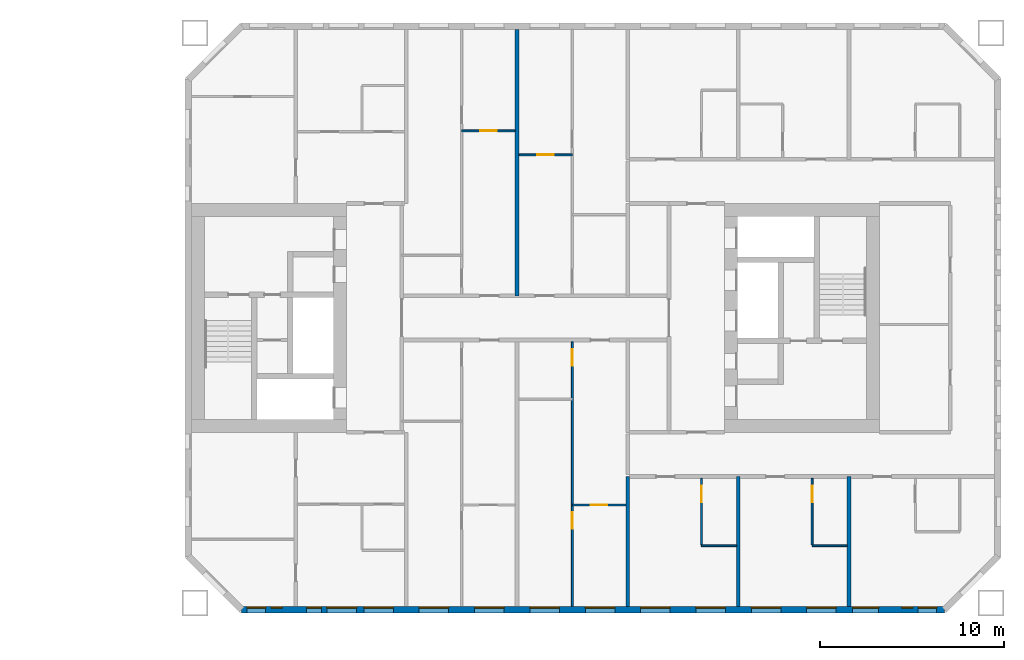
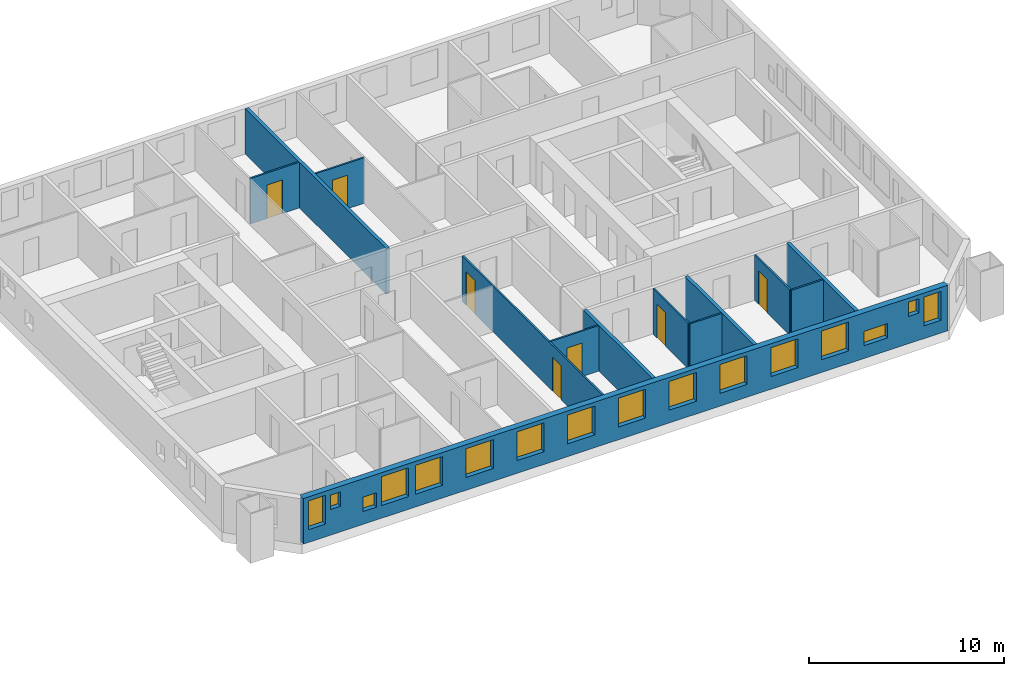
# One storey, part 11 of 17: 16 windows, 13 walls, 7 doors, 23 openings.
"""IFC4 building model written with IfcOpenShell, lengths in metres."""

import ifcopenshell
import ifcopenshell.guid

model = None  # the IFC model being written
_history = None  # IfcOwnerHistory: only IFC2X3 demands one
_inside = {}  # id of a spatial element -> (the spatial element, [elements in it])
_under = {}  # id of a project, library or spatial element -> (it, [spatial elements below it])
_declared = {}  # id of a project -> (the project, [libraries it declares])
_typed = {}  # id of a type object -> (the type object, [elements of that type])
_made_of = {}  # id of a material, layer set ... -> (it, [elements and type objects made of it])


def new_model(schema):
    """Start an empty IFC model of exactly this schema.

    Asked for "IFC4X3", IfcOpenShell would pick the latest addendum, in which some entities
    have other attributes; the version numbers below select the first issue.
    IFC2X3 requires an IfcOwnerHistory on every rooted entity: one is made here for all.
    """
    global model, _history
    if schema == "IFC4X3":
        model = ifcopenshell.file(schema_version=(4, 3, 0, 0))
    else:
        model = ifcopenshell.file(schema=schema)
    _inside.clear()
    _under.clear()
    _declared.clear()
    _typed.clear()
    _made_of.clear()
    _history = None
    if model.schema == "IFC2X3":
        org = make("IfcOrganization", Name="unknown")
        user = make(
            "IfcPersonAndOrganization",
            ThePerson=make("IfcPerson", FamilyName="unknown"),
            TheOrganization=org,
        )
        app = make(
            "IfcApplication",
            ApplicationDeveloper=org,
            Version="unknown",
            ApplicationFullName="unknown",
            ApplicationIdentifier="unknown",
        )
        _history = make(
            "IfcOwnerHistory",
            OwningUser=user,
            OwningApplication=app,
            ChangeAction="ADDED",
            CreationDate=0,
        )
    return model


def make(cls, **values):
    """One entity of the class cls with the attributes given. An attribute that is None is left unset."""
    return model.create_entity(
        cls, **{name: value for name, value in values.items() if value is not None}
    )


def rooted(cls, **values):
    """An entity with a GlobalId (a new one), such as an element, a storey or a relation."""
    return make(cls, GlobalId=ifcopenshell.guid.new(), OwnerHistory=_history, **values)


def si_unit(unit_type, name, prefix=None):
    """IfcSIUnit, for example si_unit("LENGTHUNIT", "METRE", prefix="MILLI")."""
    return make("IfcSIUnit", UnitType=unit_type, Prefix=prefix, Name=name)


def assignment(units):
    """IfcUnitAssignment: the units of a project."""
    return None if units is None else make("IfcUnitAssignment", Units=units)


def point(xyz):
    """IfcCartesianPoint."""
    return None if xyz is None else make("IfcCartesianPoint", Coordinates=xyz)


def direction(xyz):
    """IfcDirection."""
    return None if xyz is None else make("IfcDirection", DirectionRatios=xyz)


def frame(location, z_axis=None, x_axis=None):
    """IfcAxis2Placement3D, a coordinate frame: its origin and axes. An axis left out is left unset."""
    return make(
        "IfcAxis2Placement3D",
        Location=point(location),
        Axis=direction(z_axis),
        RefDirection=direction(x_axis),
    )


def frame_2d(location, x_axis=None):
    """IfcAxis2Placement2D, a coordinate frame in the plane: its origin and x axis."""
    return make(
        "IfcAxis2Placement2D", Location=point(location), RefDirection=direction(x_axis)
    )


def origin():
    """The frame at (0, 0, 0) with its axes left unset."""
    return frame((0.0, 0.0, 0.0))


def place(relative_to, where):
    """IfcLocalPlacement: puts the frame where relative to a parent placement (None: the world)."""
    return make(
        "IfcLocalPlacement", PlacementRelTo=relative_to, RelativePlacement=where
    )


def context(
    kind, dimensions, precision=None, world=None, true_north=None, identifier=None
):
    """IfcGeometricRepresentationContext, for example the 3D "Model" context."""
    return make(
        "IfcGeometricRepresentationContext",
        ContextIdentifier=identifier,
        ContextType=kind,
        CoordinateSpaceDimension=dimensions,
        Precision=precision,
        WorldCoordinateSystem=world,
        TrueNorth=true_north,
    )


def subcontext(parent, identifier, kind, view, scale=None):
    """IfcGeometricRepresentationSubContext, for example "Body" below "Model"."""
    return make(
        "IfcGeometricRepresentationSubContext",
        ContextIdentifier=identifier,
        ContextType=kind,
        ParentContext=parent,
        TargetScale=scale,
        TargetView=view,
    )


def project(units=None, contexts=None):
    """IfcProject with its units and contexts."""
    return rooted(
        "IfcProject",
        Name="project",
        RepresentationContexts=contexts,
        UnitsInContext=assignment(units),
    )


def spatial(cls, under=None, at=None, **own):
    """A site, building, storey or space (cls), placed at a placement, below another one or the project."""
    s = rooted(cls, ObjectPlacement=at, **own)
    if under is not None:
        _under.setdefault(under.id(), (under, []))[1].append(s)
    return s


def profile(cls, at=None, kind="AREA", **sizes):
    """A parametric profile (cls). Its sizes go by their IFC names, for example OverallWidth=200.0."""
    return make(cls, ProfileType=kind, Position=at, **sizes)


def rectangle(**sizes):
    """IfcRectangleProfileDef."""
    return profile("IfcRectangleProfileDef", **sizes)


def extrude(swept, where, along, depth):
    """IfcExtrudedAreaSolid: the profile swept, set in the frame where, extruded along a direction by depth."""
    return make(
        "IfcExtrudedAreaSolid",
        SweptArea=swept,
        Position=where,
        ExtrudedDirection=direction(along),
        Depth=depth,
    )


def shape(context_of_items, identifier, shape_type, items):
    """IfcShapeRepresentation: the items that make up one representation, for example the "Body"."""
    return make(
        "IfcShapeRepresentation",
        ContextOfItems=context_of_items,
        RepresentationIdentifier=identifier,
        RepresentationType=shape_type,
        Items=items,
    )


def material(Name=None, Category=None):
    """IfcMaterial."""
    return make("IfcMaterial", Name=Name, Category=Category)


def layer(
    of_material, thickness, ventilated=None, Name=None, Category=None, Priority=None
):
    """IfcMaterialLayer: one layer of a wall or slab, of a material (None: an air gap)."""
    return make(
        "IfcMaterialLayer",
        Material=of_material,
        LayerThickness=thickness,
        IsVentilated=ventilated,
        Name=Name,
        Category=Category,
        Priority=Priority,
    )


def layer_set(layers, Name=None):
    """IfcMaterialLayerSet."""
    return make("IfcMaterialLayerSet", MaterialLayers=layers, LayerSetName=Name)


def made_of(thing, what):
    """Note that an element or type object is made of a material, layer set ...; save() writes the relation."""
    if what is not None:
        _made_of.setdefault(what.id(), (what, []))[1].append(thing)
    return thing


def type_object(cls, material=None, **own):
    """A type object (cls), such as IfcWallType, which elements share."""
    return made_of(rooted(cls, **own), material)


def element(
    cls,
    number,
    at=None,
    inside=None,
    cuts=None,
    type_object=None,
    material=None,
    context=None,
    identifier="Body",
    shape_type=None,
    held_by="IfcProductDefinitionShape",
    body=None,
    shapes=None,
    **own,
):
    """One element of the class cls, such as IfcWall. Its Tag is "e" and its number.

    at: its placement. inside: the storey or other place that contains it. cuts: it is an
    opening in that element (IfcRelVoidsElement). A single representation is given by context,
    identifier, shape_type and body (its items); several are given by shapes. held_by: the class
    of the entity that holds the representations. save() writes the other relations.
    """
    e = rooted(cls, Tag="e%d" % number, ObjectPlacement=at, **own)
    if body is not None:
        shapes = [shape(context, identifier, shape_type, body)]
    if shapes is not None:
        e.Representation = make(held_by, Representations=shapes)
    if inside is not None:
        _inside.setdefault(inside.id(), (inside, []))[1].append(e)
    if cuts is not None:
        rooted(
            "IfcRelVoidsElement", RelatingBuildingElement=cuts, RelatedOpeningElement=e
        )
    if type_object is not None:
        _typed.setdefault(type_object.id(), (type_object, []))[1].append(e)
    return made_of(e, material)


def fill(opening, filler):
    """IfcRelFillsElement: the door or window that sits in an opening."""
    return rooted(
        "IfcRelFillsElement",
        RelatingOpeningElement=opening,
        RelatedBuildingElement=filler,
    )


def aggregate(whole, parts):
    """IfcRelAggregates: a whole, such as a stair, and the parts it consists of."""
    return rooted("IfcRelAggregates", RelatingObject=whole, RelatedObjects=parts)


def save(model, path):
    """Write the relations noted so far, then the file.

    IfcRelAggregates (storeys below a building ...), IfcRelContainedInSpatialStructure (elements
    in a storey), IfcRelDefinesByType, IfcRelAssociatesMaterial and IfcRelDeclares: one each for
    every whole, place, type object, material and project.
    """
    for whole, parts in _under.values():
        aggregate(whole, parts)
    for where, things in _inside.values():
        rooted(
            "IfcRelContainedInSpatialStructure",
            RelatedElements=things,
            RelatingStructure=where,
        )
    for kind, things in _typed.values():
        rooted("IfcRelDefinesByType", RelatedObjects=things, RelatingType=kind)
    for what, things in _made_of.values():
        rooted("IfcRelAssociatesMaterial", RelatedObjects=things, RelatingMaterial=what)
    for by, libraries in _declared.values():
        rooted("IfcRelDeclares", RelatingContext=by, RelatedDefinitions=libraries)
    model.write(path)


model = new_model("IFC4")

# Units and contexts
model_context = context("Model", 3, precision=1e-05, world=origin(), true_north=direction((0.0, 1.0)))
body_context = subcontext(model_context, "Body", "Model", "MODEL_VIEW")
ifc_project = project(units=[si_unit("LENGTHUNIT", "METRE"), si_unit("AREAUNIT", "SQUARE_METRE"), si_unit("VOLUMEUNIT", "CUBIC_METRE"), si_unit("PLANEANGLEUNIT", "RADIAN"), si_unit("MASSUNIT", "GRAM", prefix="KILO")], contexts=[model_context])

# Site, building, storey
site_placement = place(None, origin())
site = spatial("IfcSite", under=ifc_project, at=site_placement, CompositionType="ELEMENT")
building_placement = place(site_placement, origin())
building = spatial("IfcBuilding", under=site, at=building_placement, Name="Tuart Gate Housing", CompositionType="ELEMENT")
storey_placement = place(building_placement, frame((0.0, 0.0, 71.60009765625)))
storey = spatial("IfcBuildingStorey", under=building, at=storey_placement, Name="L19", CompositionType="ELEMENT", Elevation=71.60009765625)

# Wall, openings, windows
ifc_material_1 = material(Name="Brick", Category="masonry")
ifc_layer_1 = layer(ifc_material_1, 0.360107421875)
ifc_layer_set_1 = layer_set([ifc_layer_1], Name="Brick pier and spandrel wall 360")
wall_type_1 = type_object("IfcWallType", Name="Brick pier and spandrel wall 360", PredefinedType="STANDARD", material=ifc_layer_set_1)
wall_1_placement = place(storey_placement, frame((134.07470703125, 54.179931640625, 0.0), z_axis=(0.0, 0.0, 1.0), x_axis=(1.0, 0.0, 0.0)))
wall_1 = element("IfcWall", 1, at=wall_1_placement, inside=storey, type_object=wall_type_1, Name="External wall B-S L19", PredefinedType="STANDARD", context=body_context, shape_type="SweptSolid", body=[
    extrude(rectangle(XDim=38.100830078125, YDim=0.360107421875, at=frame_2d((19.05029296875, 0.0))), origin(), (0.0, 0.0, 1.0), 2.849853515625),
])
opening_1_placement = place(wall_1_placement, frame((0.300048828125, 0.0, 0.800048828125)))
opening_1 = element("IfcOpeningElement", 2, at=opening_1_placement, cuts=wall_1, Name="Opening W1C", PredefinedType="OPENING", context=body_context, shape_type="SweptSolid", body=[
    extrude(rectangle(XDim=1.0, YDim=1.800048828125, at=frame_2d((0.5, 0.89990234375))), frame((0.0, 0.18994140625, 0.0), z_axis=(0.0, -1.0, 0.0), x_axis=(1.0, 0.0, 0.0)), (0.0, 0.0, 1.0), 0.380126953125),
])
opening_2_placement = place(wall_1_placement, frame((3.525390625, 0.0, 0.800048828125)))
opening_2 = element("IfcOpeningElement", 3, at=opening_2_placement, cuts=wall_1, Name="Opening W1V", PredefinedType="OPENING", context=body_context, shape_type="SweptSolid", body=[
    extrude(rectangle(XDim=0.800048828125, YDim=0.89990234375, at=frame_2d((0.39990234375, 0.449951171875))), frame((0.0, 0.18994140625, 0.0), z_axis=(0.0, -1.0, 0.0), x_axis=(1.0, 0.0, 0.0)), (0.0, 0.0, 1.0), 0.380126953125),
])
opening_3_placement = place(wall_1_placement, frame((6.62548828125, 0.0, 0.800048828125)))
opening_3 = element("IfcOpeningElement", 4, at=opening_3_placement, cuts=wall_1, Name="Opening W1", PredefinedType="OPENING", context=body_context, shape_type="SweptSolid", body=[
    extrude(rectangle(XDim=1.60009765625, YDim=1.800048828125, at=frame_2d((0.800048828125, 0.89990234375))), frame((0.0, 0.18994140625, 0.0), z_axis=(0.0, -1.0, 0.0), x_axis=(1.0, 0.0, 0.0)), (0.0, 0.0, 1.0), 0.380126953125),
])
opening_4_placement = place(wall_1_placement, frame((9.62548828125, 0.0, 0.800048828125)))
opening_4 = element("IfcOpeningElement", 5, at=opening_4_placement, cuts=wall_1, Name="Opening W1", PredefinedType="OPENING", context=body_context, shape_type="SweptSolid", body=[
    extrude(rectangle(XDim=1.60009765625, YDim=1.800048828125, at=frame_2d((0.800048828125, 0.89990234375))), frame((0.0, 0.18994140625, 0.0), z_axis=(0.0, -1.0, 0.0), x_axis=(1.0, 0.0, 0.0)), (0.0, 0.0, 1.0), 0.380126953125),
])
opening_5_placement = place(wall_1_placement, frame((12.62548828125, 0.0, 0.800048828125)))
opening_5 = element("IfcOpeningElement", 6, at=opening_5_placement, cuts=wall_1, Name="Opening W1", PredefinedType="OPENING", context=body_context, shape_type="SweptSolid", body=[
    extrude(rectangle(XDim=1.60009765625, YDim=1.800048828125, at=frame_2d((0.800048828125, 0.89990234375))), frame((0.0, 0.18994140625, 0.0), z_axis=(0.0, -1.0, 0.0), x_axis=(1.0, 0.0, 0.0)), (0.0, 0.0, 1.0), 0.380126953125),
])
opening_6_placement = place(wall_1_placement, frame((15.62548828125, 0.0, 0.800048828125)))
opening_6 = element("IfcOpeningElement", 7, at=opening_6_placement, cuts=wall_1, Name="Opening W1", PredefinedType="OPENING", context=body_context, shape_type="SweptSolid", body=[
    extrude(rectangle(XDim=1.60009765625, YDim=1.800048828125, at=frame_2d((0.800048828125, 0.89990234375))), frame((0.0, 0.18994140625, 0.0), z_axis=(0.0, -1.0, 0.0), x_axis=(1.0, 0.0, 0.0)), (0.0, 0.0, 1.0), 0.380126953125),
])
opening_7_placement = place(wall_1_placement, frame((18.62548828125, 0.0, 0.800048828125)))
opening_7 = element("IfcOpeningElement", 8, at=opening_7_placement, cuts=wall_1, Name="Opening W1", PredefinedType="OPENING", context=body_context, shape_type="SweptSolid", body=[
    extrude(rectangle(XDim=1.60009765625, YDim=1.800048828125, at=frame_2d((0.800048828125, 0.89990234375))), frame((0.0, 0.18994140625, 0.0), z_axis=(0.0, -1.0, 0.0), x_axis=(1.0, 0.0, 0.0)), (0.0, 0.0, 1.0), 0.380126953125),
])
opening_8_placement = place(wall_1_placement, frame((21.62548828125, 0.0, 0.800048828125)))
opening_8 = element("IfcOpeningElement", 9, at=opening_8_placement, cuts=wall_1, Name="Opening W1", PredefinedType="OPENING", context=body_context, shape_type="SweptSolid", body=[
    extrude(rectangle(XDim=1.60009765625, YDim=1.800048828125, at=frame_2d((0.800048828125, 0.89990234375))), frame((0.0, 0.18994140625, 0.0), z_axis=(0.0, -1.0, 0.0), x_axis=(1.0, 0.0, 0.0)), (0.0, 0.0, 1.0), 0.380126953125),
])
opening_9_placement = place(wall_1_placement, frame((24.62548828125, 0.0, 0.800048828125)))
opening_9 = element("IfcOpeningElement", 10, at=opening_9_placement, cuts=wall_1, Name="Opening W1", PredefinedType="OPENING", context=body_context, shape_type="SweptSolid", body=[
    extrude(rectangle(XDim=1.60009765625, YDim=1.800048828125, at=frame_2d((0.800048828125, 0.89990234375))), frame((0.0, 0.18994140625, 0.0), z_axis=(0.0, -1.0, 0.0), x_axis=(1.0, 0.0, 0.0)), (0.0, 0.0, 1.0), 0.380126953125),
])
opening_10_placement = place(wall_1_placement, frame((27.62548828125, 0.0, 0.800048828125)))
opening_10 = element("IfcOpeningElement", 11, at=opening_10_placement, cuts=wall_1, Name="Opening W1", PredefinedType="OPENING", context=body_context, shape_type="SweptSolid", body=[
    extrude(rectangle(XDim=1.60009765625, YDim=1.800048828125, at=frame_2d((0.800048828125, 0.89990234375))), frame((0.0, 0.18994140625, 0.0), z_axis=(0.0, -1.0, 0.0), x_axis=(1.0, 0.0, 0.0)), (0.0, 0.0, 1.0), 0.380126953125),
])
opening_11_placement = place(wall_1_placement, frame((30.62548828125, 0.0, 0.800048828125)))
opening_11 = element("IfcOpeningElement", 12, at=opening_11_placement, cuts=wall_1, Name="Opening W1", PredefinedType="OPENING", context=body_context, shape_type="SweptSolid", body=[
    extrude(rectangle(XDim=1.60009765625, YDim=1.800048828125, at=frame_2d((0.800048828125, 0.89990234375))), frame((0.0, 0.18994140625, 0.0), z_axis=(0.0, -1.0, 0.0), x_axis=(1.0, 0.0, 0.0)), (0.0, 0.0, 1.0), 0.380126953125),
])
opening_12_placement = place(wall_1_placement, frame((33.12548828125, 0.0, 0.800048828125)))
opening_12 = element("IfcOpeningElement", 13, at=opening_12_placement, cuts=wall_1, Name="Opening W1S", PredefinedType="OPENING", context=body_context, shape_type="SweptSolid", body=[
    extrude(rectangle(XDim=1.39990234375, YDim=0.89990234375, at=frame_2d((0.699951171875, 0.449951171875))), frame((0.0, 0.18994140625, 0.0), z_axis=(0.0, -1.0, 0.0), x_axis=(1.0, 0.0, 0.0)), (0.0, 0.0, 1.0), 0.380126953125),
])
opening_13_placement = place(wall_1_placement, frame((1.60009765625, 0.0, 1.60009765625)))
opening_13 = element("IfcOpeningElement", 14, at=opening_13_placement, cuts=wall_1, Name="Opening W1W", PredefinedType="OPENING", context=body_context, shape_type="SweptSolid", body=[
    extrude(rectangle(XDim=0.60009765625, YDim=0.89990234375, at=frame_2d((0.300048828125, 0.449951171875))), frame((0.0, 0.18994140625, 0.0), z_axis=(0.0, -1.0, 0.0), x_axis=(1.0, 0.0, 0.0)), (0.0, 0.0, 1.0), 0.380126953125),
])
opening_14_placement = place(wall_1_placement, frame((4.62548828125, 0.0, 0.800048828125)))
opening_14 = element("IfcOpeningElement", 15, at=opening_14_placement, cuts=wall_1, Name="Opening W1", PredefinedType="OPENING", context=body_context, shape_type="SweptSolid", body=[
    extrude(rectangle(XDim=1.60009765625, YDim=1.800048828125, at=frame_2d((0.800048828125, 0.89990234375))), frame((0.0, 0.18994140625, 0.0), z_axis=(0.0, -1.0, 0.0), x_axis=(1.0, 0.0, 0.0)), (0.0, 0.0, 1.0), 0.380126953125),
])
opening_15_placement = place(wall_1_placement, frame((35.775390625, 0.0, 1.699951171875)))
opening_15 = element("IfcOpeningElement", 16, at=opening_15_placement, cuts=wall_1, Name="Opening W1W", PredefinedType="OPENING", context=body_context, shape_type="SweptSolid", body=[
    extrude(rectangle(XDim=0.60009765625, YDim=0.89990234375, at=frame_2d((0.300048828125, 0.449951171875))), frame((0.0, 0.18994140625, 0.0), z_axis=(0.0, -1.0, 0.0), x_axis=(1.0, 0.0, 0.0)), (0.0, 0.0, 1.0), 0.380126953125),
])
opening_16_placement = place(wall_1_placement, frame((36.67529296875, 0.0, 0.800048828125)))
opening_16 = element("IfcOpeningElement", 17, at=opening_16_placement, cuts=wall_1, Name="Opening W1C", PredefinedType="OPENING", context=body_context, shape_type="SweptSolid", body=[
    extrude(rectangle(XDim=1.0, YDim=1.800048828125, at=frame_2d((0.5, 0.89990234375))), frame((0.0, 0.18994140625, 0.0), z_axis=(0.0, -1.0, 0.0), x_axis=(1.0, 0.0, 0.0)), (0.0, 0.0, 1.0), 0.380126953125),
])
ifc_material_2 = material(Name="Aluminium frame with clear glass", Category="aluminium")
window_type_1 = type_object("IfcWindowType", Name="Punched window 1000 x 1800", PartitioningType="SINGLE_PANEL", PredefinedType="WINDOW", material=ifc_material_2)
window_1_placement = place(opening_1_placement, origin())
window_1 = element("IfcWindow", 18, at=window_1_placement, inside=storey, type_object=window_type_1, Name="Window W1C", OverallHeight=1.800048828125, OverallWidth=1.0, PartitioningType="SINGLE_PANEL", PredefinedType="WINDOW", context=body_context, shape_type="SweptSolid", body=[
    extrude(rectangle(XDim=1.0, YDim=1.800048828125, at=frame_2d((0.5, 0.89990234375))), frame((0.0, 0.150146484375, 0.0), z_axis=(0.0, -1.0, 0.0), x_axis=(1.0, 0.0, 0.0)), (0.0, 0.0, 1.0), 0.06005859375),
])
fill(opening_1, window_1)
window_2_placement = place(opening_16_placement, origin())
window_2 = element("IfcWindow", 19, at=window_2_placement, inside=storey, type_object=window_type_1, Name="Window W1C", OverallHeight=1.800048828125, OverallWidth=1.0, PartitioningType="SINGLE_PANEL", PredefinedType="WINDOW", context=body_context, shape_type="SweptSolid", body=[
    extrude(rectangle(XDim=1.0, YDim=1.800048828125, at=frame_2d((0.5, 0.89990234375))), frame((0.0, 0.150146484375, 0.0), z_axis=(0.0, -1.0, 0.0), x_axis=(1.0, 0.0, 0.0)), (0.0, 0.0, 1.0), 0.06005859375),
])
fill(opening_16, window_2)
ifc_material_3 = material(Name="Aluminium frame with clear glass", Category="aluminium")
window_type_2 = type_object("IfcWindowType", Name="Punched window 1400 x 900", PartitioningType="SINGLE_PANEL", PredefinedType="WINDOW", material=ifc_material_3)
window_3_placement = place(opening_12_placement, origin())
window_3 = element("IfcWindow", 20, at=window_3_placement, inside=storey, type_object=window_type_2, Name="Window W1S", OverallHeight=0.89990234375, OverallWidth=1.39990234375, PartitioningType="SINGLE_PANEL", PredefinedType="WINDOW", context=body_context, shape_type="SweptSolid", body=[
    extrude(rectangle(XDim=1.39990234375, YDim=0.89990234375, at=frame_2d((0.699951171875, 0.449951171875))), frame((0.0, 0.150146484375, 0.0), z_axis=(0.0, -1.0, 0.0), x_axis=(1.0, 0.0, 0.0)), (0.0, 0.0, 1.0), 0.06005859375),
])
fill(opening_12, window_3)
ifc_material_4 = material(Name="Aluminium frame with clear glass", Category="aluminium")
window_type_3 = type_object("IfcWindowType", Name="Punched window 1600 x 1800", PartitioningType="SINGLE_PANEL", PredefinedType="WINDOW", material=ifc_material_4)
window_4_placement = place(opening_3_placement, origin())
window_4 = element("IfcWindow", 21, at=window_4_placement, inside=storey, type_object=window_type_3, Name="Window W1", OverallHeight=1.800048828125, OverallWidth=1.60009765625, PartitioningType="SINGLE_PANEL", PredefinedType="WINDOW", context=body_context, shape_type="SweptSolid", body=[
    extrude(rectangle(XDim=1.60009765625, YDim=1.800048828125, at=frame_2d((0.800048828125, 0.89990234375))), frame((0.0, 0.150146484375, 0.0), z_axis=(0.0, -1.0, 0.0), x_axis=(1.0, 0.0, 0.0)), (0.0, 0.0, 1.0), 0.06005859375),
])
fill(opening_3, window_4)
window_5_placement = place(opening_4_placement, origin())
window_5 = element("IfcWindow", 22, at=window_5_placement, inside=storey, type_object=window_type_3, Name="Window W1", OverallHeight=1.800048828125, OverallWidth=1.60009765625, PartitioningType="SINGLE_PANEL", PredefinedType="WINDOW", context=body_context, shape_type="SweptSolid", body=[
    extrude(rectangle(XDim=1.60009765625, YDim=1.800048828125, at=frame_2d((0.800048828125, 0.89990234375))), frame((0.0, 0.150146484375, 0.0), z_axis=(0.0, -1.0, 0.0), x_axis=(1.0, 0.0, 0.0)), (0.0, 0.0, 1.0), 0.06005859375),
])
fill(opening_4, window_5)
window_6_placement = place(opening_5_placement, origin())
window_6 = element("IfcWindow", 23, at=window_6_placement, inside=storey, type_object=window_type_3, Name="Window W1", OverallHeight=1.800048828125, OverallWidth=1.60009765625, PartitioningType="SINGLE_PANEL", PredefinedType="WINDOW", context=body_context, shape_type="SweptSolid", body=[
    extrude(rectangle(XDim=1.60009765625, YDim=1.800048828125, at=frame_2d((0.800048828125, 0.89990234375))), frame((0.0, 0.150146484375, 0.0), z_axis=(0.0, -1.0, 0.0), x_axis=(1.0, 0.0, 0.0)), (0.0, 0.0, 1.0), 0.06005859375),
])
fill(opening_5, window_6)
window_7_placement = place(opening_6_placement, origin())
window_7 = element("IfcWindow", 24, at=window_7_placement, inside=storey, type_object=window_type_3, Name="Window W1", OverallHeight=1.800048828125, OverallWidth=1.60009765625, PartitioningType="SINGLE_PANEL", PredefinedType="WINDOW", context=body_context, shape_type="SweptSolid", body=[
    extrude(rectangle(XDim=1.60009765625, YDim=1.800048828125, at=frame_2d((0.800048828125, 0.89990234375))), frame((0.0, 0.150146484375, 0.0), z_axis=(0.0, -1.0, 0.0), x_axis=(1.0, 0.0, 0.0)), (0.0, 0.0, 1.0), 0.06005859375),
])
fill(opening_6, window_7)
window_8_placement = place(opening_7_placement, origin())
window_8 = element("IfcWindow", 25, at=window_8_placement, inside=storey, type_object=window_type_3, Name="Window W1", OverallHeight=1.800048828125, OverallWidth=1.60009765625, PartitioningType="SINGLE_PANEL", PredefinedType="WINDOW", context=body_context, shape_type="SweptSolid", body=[
    extrude(rectangle(XDim=1.60009765625, YDim=1.800048828125, at=frame_2d((0.800048828125, 0.89990234375))), frame((0.0, 0.150146484375, 0.0), z_axis=(0.0, -1.0, 0.0), x_axis=(1.0, 0.0, 0.0)), (0.0, 0.0, 1.0), 0.06005859375),
])
fill(opening_7, window_8)
window_9_placement = place(opening_8_placement, origin())
window_9 = element("IfcWindow", 26, at=window_9_placement, inside=storey, type_object=window_type_3, Name="Window W1", OverallHeight=1.800048828125, OverallWidth=1.60009765625, PartitioningType="SINGLE_PANEL", PredefinedType="WINDOW", context=body_context, shape_type="SweptSolid", body=[
    extrude(rectangle(XDim=1.60009765625, YDim=1.800048828125, at=frame_2d((0.800048828125, 0.89990234375))), frame((0.0, 0.150146484375, 0.0), z_axis=(0.0, -1.0, 0.0), x_axis=(1.0, 0.0, 0.0)), (0.0, 0.0, 1.0), 0.06005859375),
])
fill(opening_8, window_9)
window_10_placement = place(opening_9_placement, origin())
window_10 = element("IfcWindow", 27, at=window_10_placement, inside=storey, type_object=window_type_3, Name="Window W1", OverallHeight=1.800048828125, OverallWidth=1.60009765625, PartitioningType="SINGLE_PANEL", PredefinedType="WINDOW", context=body_context, shape_type="SweptSolid", body=[
    extrude(rectangle(XDim=1.60009765625, YDim=1.800048828125, at=frame_2d((0.800048828125, 0.89990234375))), frame((0.0, 0.150146484375, 0.0), z_axis=(0.0, -1.0, 0.0), x_axis=(1.0, 0.0, 0.0)), (0.0, 0.0, 1.0), 0.06005859375),
])
fill(opening_9, window_10)
window_11_placement = place(opening_10_placement, origin())
window_11 = element("IfcWindow", 28, at=window_11_placement, inside=storey, type_object=window_type_3, Name="Window W1", OverallHeight=1.800048828125, OverallWidth=1.60009765625, PartitioningType="SINGLE_PANEL", PredefinedType="WINDOW", context=body_context, shape_type="SweptSolid", body=[
    extrude(rectangle(XDim=1.60009765625, YDim=1.800048828125, at=frame_2d((0.800048828125, 0.89990234375))), frame((0.0, 0.150146484375, 0.0), z_axis=(0.0, -1.0, 0.0), x_axis=(1.0, 0.0, 0.0)), (0.0, 0.0, 1.0), 0.06005859375),
])
fill(opening_10, window_11)
window_12_placement = place(opening_11_placement, origin())
window_12 = element("IfcWindow", 29, at=window_12_placement, inside=storey, type_object=window_type_3, Name="Window W1", OverallHeight=1.800048828125, OverallWidth=1.60009765625, PartitioningType="SINGLE_PANEL", PredefinedType="WINDOW", context=body_context, shape_type="SweptSolid", body=[
    extrude(rectangle(XDim=1.60009765625, YDim=1.800048828125, at=frame_2d((0.800048828125, 0.89990234375))), frame((0.0, 0.150146484375, 0.0), z_axis=(0.0, -1.0, 0.0), x_axis=(1.0, 0.0, 0.0)), (0.0, 0.0, 1.0), 0.06005859375),
])
fill(opening_11, window_12)
window_13_placement = place(opening_14_placement, origin())
window_13 = element("IfcWindow", 30, at=window_13_placement, inside=storey, type_object=window_type_3, Name="Window W1", OverallHeight=1.800048828125, OverallWidth=1.60009765625, PartitioningType="SINGLE_PANEL", PredefinedType="WINDOW", context=body_context, shape_type="SweptSolid", body=[
    extrude(rectangle(XDim=1.60009765625, YDim=1.800048828125, at=frame_2d((0.800048828125, 0.89990234375))), frame((0.0, 0.150146484375, 0.0), z_axis=(0.0, -1.0, 0.0), x_axis=(1.0, 0.0, 0.0)), (0.0, 0.0, 1.0), 0.06005859375),
])
fill(opening_14, window_13)
ifc_material_5 = material(Name="Aluminium frame with clear glass", Category="aluminium")
window_type_4 = type_object("IfcWindowType", Name="Punched window 600 x 900", PartitioningType="SINGLE_PANEL", PredefinedType="WINDOW", material=ifc_material_5)
window_14_placement = place(opening_13_placement, origin())
window_14 = element("IfcWindow", 31, at=window_14_placement, inside=storey, type_object=window_type_4, Name="Window W1W", OverallHeight=0.89990234375, OverallWidth=0.60009765625, PartitioningType="SINGLE_PANEL", PredefinedType="WINDOW", context=body_context, shape_type="SweptSolid", body=[
    extrude(rectangle(XDim=0.60009765625, YDim=0.89990234375, at=frame_2d((0.300048828125, 0.449951171875))), frame((0.0, 0.150146484375, 0.0), z_axis=(0.0, -1.0, 0.0), x_axis=(1.0, 0.0, 0.0)), (0.0, 0.0, 1.0), 0.06005859375),
])
fill(opening_13, window_14)
window_15_placement = place(opening_15_placement, origin())
window_15 = element("IfcWindow", 32, at=window_15_placement, inside=storey, type_object=window_type_4, Name="Window W1W", OverallHeight=0.89990234375, OverallWidth=0.60009765625, PartitioningType="SINGLE_PANEL", PredefinedType="WINDOW", context=body_context, shape_type="SweptSolid", body=[
    extrude(rectangle(XDim=0.60009765625, YDim=0.89990234375, at=frame_2d((0.300048828125, 0.449951171875))), frame((0.0, 0.150146484375, 0.0), z_axis=(0.0, -1.0, 0.0), x_axis=(1.0, 0.0, 0.0)), (0.0, 0.0, 1.0), 0.06005859375),
])
fill(opening_15, window_15)
ifc_material_6 = material(Name="Aluminium frame with clear glass", Category="aluminium")
window_type_5 = type_object("IfcWindowType", Name="Punched window 800 x 900", PartitioningType="SINGLE_PANEL", PredefinedType="WINDOW", material=ifc_material_6)
window_16_placement = place(opening_2_placement, origin())
window_16 = element("IfcWindow", 33, at=window_16_placement, inside=storey, type_object=window_type_5, Name="Window W1V", OverallHeight=0.89990234375, OverallWidth=0.800048828125, PartitioningType="SINGLE_PANEL", PredefinedType="WINDOW", context=body_context, shape_type="SweptSolid", body=[
    extrude(rectangle(XDim=0.800048828125, YDim=0.89990234375, at=frame_2d((0.39990234375, 0.449951171875))), frame((0.0, 0.150146484375, 0.0), z_axis=(0.0, -1.0, 0.0), x_axis=(1.0, 0.0, 0.0)), (0.0, 0.0, 1.0), 0.06005859375),
])
fill(opening_2, window_16)

# Walls
ifc_material_7 = material(Name="Gypsum board on steel studs", Category="steel")
ifc_layer_2 = layer(ifc_material_7, 0.10009765625)
ifc_layer_set_2 = layer_set([ifc_layer_2], Name="Partition 100")
wall_type_2 = type_object("IfcWallType", Name="Partition 100", PredefinedType="PARTITIONING", material=ifc_layer_set_2)
for number, where, z_axis, x_axis, name in (
    (34, (159.0, 57.64990234375, 0.0), (0.0, 0.0, 1.0), (1.0, 0.0, 0.0), "Partition 100"),
    (35, (165.0, 57.64990234375, 0.0), (0.0, 0.0, 1.0), (1.0, 0.0, 0.0), "Partition 100"),
):
    element("IfcWall", number, at=place(storey_placement, frame(where, z_axis=z_axis, x_axis=x_axis)), inside=storey, type_object=wall_type_2, Name=name, PredefinedType="PARTITIONING", context=body_context, shape_type="SweptSolid", body=[
        extrude(rectangle(XDim=1.89990234375, YDim=0.10009765625, at=frame_2d((0.949951171875, 0.0))), origin(), (0.0, 0.0, 1.0), 2.849853515625),
    ])

# Wall, opening, door
wall_2_placement = place(storey_placement, frame((152.0, 59.860107421875, 0.0), z_axis=(0.0, 0.0, 1.0), x_axis=(1.0, 0.0, 0.0)))
wall_2 = element("IfcWall", 36, at=wall_2_placement, inside=storey, type_object=wall_type_2, Name="Partition 100", PredefinedType="PARTITIONING", context=body_context, shape_type="SweptSolid", body=[
    extrude(rectangle(XDim=2.89990234375, YDim=0.10009765625, at=frame_2d((1.449951171875, 0.0))), origin(), (0.0, 0.0, 1.0), 2.849853515625),
])
opening_17_placement = place(wall_2_placement, frame((1.0, 0.0, 0.0)))
opening_17 = element("IfcOpeningElement", 37, at=opening_17_placement, cuts=wall_2, Name="Opening D945", PredefinedType="OPENING", context=body_context, shape_type="SweptSolid", body=[
    extrude(rectangle(XDim=0.89990234375, YDim=2.10009765625, at=frame_2d((0.449951171875, 1.050048828125))), frame((0.0, 0.06005859375, 0.0), z_axis=(0.0, -1.0, 0.0), x_axis=(1.0, 0.0, 0.0)), (0.0, 0.0, 1.0), 0.1201171875),
])
ifc_material_8 = material(Name="Timber door leaf in steel frame", Category="steel")
door_type_1 = type_object("IfcDoorType", Name="Internal door 900", OperationType="SINGLE_SWING_LEFT", PredefinedType="DOOR", material=ifc_material_8)
door_1_placement = place(opening_17_placement, origin())
door_1 = element("IfcDoor", 38, at=door_1_placement, inside=storey, type_object=door_type_1, Name="Internal door", OperationType="SINGLE_SWING_LEFT", OverallHeight=2.10009765625, OverallWidth=0.89990234375, PredefinedType="DOOR", context=body_context, shape_type="SweptSolid", body=[
    extrude(rectangle(XDim=0.89990234375, YDim=2.10009765625, at=frame_2d((0.449951171875, 1.050048828125))), frame((0.0, 0.02490234375, 0.0), z_axis=(0.0, -1.0, 0.0), x_axis=(1.0, 0.0, 0.0)), (0.0, 0.0, 1.0), 0.050048828125),
])
fill(opening_17, door_1)

wall_3_placement = place(storey_placement, frame((149.10009765625, 78.840087890625, 0.0), z_axis=(0.0, 0.0, 1.0), x_axis=(1.0, 0.0, 0.0)))
wall_3 = element("IfcWall", 39, at=wall_3_placement, inside=storey, type_object=wall_type_2, Name="Partition 100", PredefinedType="PARTITIONING", context=body_context, shape_type="SweptSolid", body=[
    extrude(rectangle(XDim=2.89990234375, YDim=0.10009765625, at=frame_2d((1.449951171875, 0.0))), origin(), (0.0, 0.0, 1.0), 2.849853515625),
])
opening_18_placement = place(wall_3_placement, frame((1.0, 0.0, 0.0)))
opening_18 = element("IfcOpeningElement", 40, at=opening_18_placement, cuts=wall_3, Name="Opening D905", PredefinedType="OPENING", context=body_context, shape_type="SweptSolid", body=[
    extrude(rectangle(XDim=0.89990234375, YDim=2.10009765625, at=frame_2d((0.449951171875, 1.050048828125))), frame((0.0, 0.06005859375, 0.0), z_axis=(0.0, -1.0, 0.0), x_axis=(1.0, 0.0, 0.0)), (0.0, 0.0, 1.0), 0.1201171875),
])
door_2_placement = place(opening_18_placement, frame((0.89990234375, 0.0, 0.0), z_axis=(0.0, 0.0, 1.0), x_axis=(-1.0, 0.0, 0.0)))
door_2 = element("IfcDoor", 41, at=door_2_placement, inside=storey, type_object=door_type_1, Name="Internal door", OperationType="SINGLE_SWING_LEFT", OverallHeight=2.10009765625, OverallWidth=0.89990234375, PredefinedType="DOOR", context=body_context, shape_type="SweptSolid", body=[
    extrude(rectangle(XDim=0.89990234375, YDim=2.10009765625, at=frame_2d((0.449951171875, 1.050048828125))), frame((0.0, 0.025146484375, 0.0), z_axis=(0.0, -1.0, 0.0), x_axis=(1.0, 0.0, 0.0)), (0.0, 0.0, 1.0), 0.050048828125),
])
fill(opening_18, door_2)

wall_4_placement = place(storey_placement, frame((146.0, 80.139892578125, 0.0), z_axis=(0.0, 0.0, 1.0), x_axis=(1.0, 0.0, 0.0)))
wall_4 = element("IfcWall", 42, at=wall_4_placement, inside=storey, type_object=wall_type_2, Name="Partition 100", PredefinedType="PARTITIONING", context=body_context, shape_type="SweptSolid", body=[
    extrude(rectangle(XDim=2.89990234375, YDim=0.10009765625, at=frame_2d((1.449951171875, 0.0))), origin(), (0.0, 0.0, 1.0), 2.849853515625),
])
opening_19_placement = place(wall_4_placement, frame((1.0, 0.0, 0.0)))
opening_19 = element("IfcOpeningElement", 43, at=opening_19_placement, cuts=wall_4, Name="Opening D900", PredefinedType="OPENING", context=body_context, shape_type="SweptSolid", body=[
    extrude(rectangle(XDim=0.89990234375, YDim=2.10009765625, at=frame_2d((0.449951171875, 1.050048828125))), frame((0.0, 0.06005859375, 0.0), z_axis=(0.0, -1.0, 0.0), x_axis=(1.0, 0.0, 0.0)), (0.0, 0.0, 1.0), 0.1201171875),
])
ifc_material_9 = material(Name="Timber door leaf in steel frame", Category="steel")
door_type_2 = type_object("IfcDoorType", Name="Internal door 900 RH", OperationType="SINGLE_SWING_RIGHT", PredefinedType="DOOR", material=ifc_material_9)
door_3_placement = place(opening_19_placement, frame((0.89990234375, 0.0, 0.0), z_axis=(0.0, 0.0, 1.0), x_axis=(-1.0, 0.0, 0.0)))
door_3 = element("IfcDoor", 44, at=door_3_placement, inside=storey, type_object=door_type_2, Name="Internal door", OperationType="SINGLE_SWING_RIGHT", OverallHeight=2.10009765625, OverallWidth=0.89990234375, PredefinedType="DOOR", context=body_context, shape_type="SweptSolid", body=[
    extrude(rectangle(XDim=0.89990234375, YDim=2.10009765625, at=frame_2d((0.449951171875, 1.050048828125))), frame((0.0, 0.025146484375, 0.0), z_axis=(0.0, -1.0, 0.0), x_axis=(1.0, 0.0, 0.0)), (0.0, 0.0, 1.0), 0.050048828125),
])
fill(opening_19, door_3)

# Wall, openings, doors
wall_5_placement = place(storey_placement, frame((152.0, 54.360107421875, 0.0), z_axis=(0.0, 0.0, 1.0), x_axis=(0.0, 1.0, 0.0)))
wall_5 = element("IfcWall", 45, at=wall_5_placement, inside=storey, type_object=wall_type_2, Name="Partition 100", PredefinedType="PARTITIONING", context=body_context, shape_type="SweptSolid", body=[
    extrude(rectangle(XDim=14.33984375, YDim=0.10009765625, at=frame_2d((7.169921875, 0.0))), origin(), (0.0, 0.0, 1.0), 2.849853515625),
])
opening_20_placement = place(wall_5_placement, frame((4.199951171875, 0.0, 0.0)))
opening_20 = element("IfcOpeningElement", 46, at=opening_20_placement, cuts=wall_5, Name="Opening D937", PredefinedType="OPENING", context=body_context, shape_type="SweptSolid", body=[
    extrude(rectangle(XDim=0.89990234375, YDim=2.10009765625, at=frame_2d((0.449951171875, 1.050048828125))), frame((0.0, 0.06005859375, 0.0), z_axis=(0.0, -1.0, 0.0), x_axis=(1.0, 0.0, 0.0)), (0.0, 0.0, 1.0), 0.1201171875),
])
opening_21_placement = place(wall_5_placement, frame((13.0400390625, 0.0, 0.0)))
opening_21 = element("IfcOpeningElement", 47, at=opening_21_placement, cuts=wall_5, Name="Opening D936", PredefinedType="OPENING", context=body_context, shape_type="SweptSolid", body=[
    extrude(rectangle(XDim=0.89990234375, YDim=2.10009765625, at=frame_2d((0.449951171875, 1.050048828125))), frame((0.0, 0.06005859375, 0.0), z_axis=(0.0, -1.0, 0.0), x_axis=(1.0, 0.0, 0.0)), (0.0, 0.0, 1.0), 0.1201171875),
])
ifc_material_10 = material(Name="Timber door leaf in steel frame", Category="steel")
door_type_3 = type_object("IfcDoorType", Name="Bathroom door 900 RH", OperationType="SINGLE_SWING_RIGHT", PredefinedType="DOOR", material=ifc_material_10)
door_4_placement = place(opening_21_placement, origin())
door_4 = element("IfcDoor", 48, at=door_4_placement, inside=storey, type_object=door_type_3, Name="Bathroom door", OperationType="SINGLE_SWING_RIGHT", OverallHeight=2.10009765625, OverallWidth=0.89990234375, PredefinedType="DOOR", context=body_context, shape_type="SweptSolid", body=[
    extrude(rectangle(XDim=0.89990234375, YDim=2.10009765625, at=frame_2d((0.449951171875, 1.050048828125))), frame((0.0, 0.02490234375, 0.0), z_axis=(0.0, -1.0, 0.0), x_axis=(1.0, 0.0, 0.0)), (0.0, 0.0, 1.0), 0.050048828125),
])
fill(opening_21, door_4)
door_5_placement = place(opening_20_placement, origin())
door_5 = element("IfcDoor", 49, at=door_5_placement, inside=storey, type_object=door_type_1, Name="Internal door", OperationType="SINGLE_SWING_LEFT", OverallHeight=2.10009765625, OverallWidth=0.89990234375, PredefinedType="DOOR", context=body_context, shape_type="SweptSolid", body=[
    extrude(rectangle(XDim=0.89990234375, YDim=2.10009765625, at=frame_2d((0.449951171875, 1.050048828125))), frame((0.0, 0.02490234375, 0.0), z_axis=(0.0, -1.0, 0.0), x_axis=(1.0, 0.0, 0.0)), (0.0, 0.0, 1.0), 0.050048828125),
])
fill(opening_20, door_5)

# Wall, opening, door
wall_6_placement = place(storey_placement, frame((159.0, 57.699951171875, 0.0), z_axis=(0.0, 0.0, 1.0), x_axis=(0.0, 1.0, 0.0)))
wall_6 = element("IfcWall", 50, at=wall_6_placement, inside=storey, type_object=wall_type_2, Name="Partition 100", PredefinedType="PARTITIONING", context=body_context, shape_type="SweptSolid", body=[
    extrude(rectangle(XDim=3.60009765625, YDim=0.10009765625, at=frame_2d((1.800048828125, 0.0))), origin(), (0.0, 0.0, 1.0), 2.849853515625),
])
opening_22_placement = place(wall_6_placement, frame((2.300048828125, 0.0, 0.0)))
opening_22 = element("IfcOpeningElement", 51, at=opening_22_placement, cuts=wall_6, Name="Opening D946", PredefinedType="OPENING", context=body_context, shape_type="SweptSolid", body=[
    extrude(rectangle(XDim=0.89990234375, YDim=2.10009765625, at=frame_2d((0.449951171875, 1.050048828125))), frame((0.0, 0.06005859375, 0.0), z_axis=(0.0, -1.0, 0.0), x_axis=(1.0, 0.0, 0.0)), (0.0, 0.0, 1.0), 0.1201171875),
])
ifc_material_11 = material(Name="Timber door leaf in steel frame", Category="steel")
door_type_4 = type_object("IfcDoorType", Name="Bathroom door 900", OperationType="SINGLE_SWING_LEFT", PredefinedType="DOOR", material=ifc_material_11)
door_6_placement = place(opening_22_placement, frame((0.89990234375, 0.0, 0.0), z_axis=(0.0, 0.0, 1.0), x_axis=(-1.0, 0.0, 0.0)))
door_6 = element("IfcDoor", 52, at=door_6_placement, inside=storey, type_object=door_type_4, Name="Bathroom door", OperationType="SINGLE_SWING_LEFT", OverallHeight=2.10009765625, OverallWidth=0.89990234375, PredefinedType="DOOR", context=body_context, shape_type="SweptSolid", body=[
    extrude(rectangle(XDim=0.89990234375, YDim=2.10009765625, at=frame_2d((0.449951171875, 1.050048828125))), frame((0.0, 0.025146484375, 0.0), z_axis=(0.0, -1.0, 0.0), x_axis=(1.0, 0.0, 0.0)), (0.0, 0.0, 1.0), 0.050048828125),
])
fill(opening_22, door_6)

wall_7_placement = place(storey_placement, frame((165.0, 57.699951171875, 0.0), z_axis=(0.0, 0.0, 1.0), x_axis=(0.0, 1.0, 0.0)))
wall_7 = element("IfcWall", 53, at=wall_7_placement, inside=storey, type_object=wall_type_2, Name="Partition 100", PredefinedType="PARTITIONING", context=body_context, shape_type="SweptSolid", body=[
    extrude(rectangle(XDim=3.60009765625, YDim=0.10009765625, at=frame_2d((1.800048828125, 0.0))), origin(), (0.0, 0.0, 1.0), 2.849853515625),
])
opening_23_placement = place(wall_7_placement, frame((2.300048828125, 0.0, 0.0)))
opening_23 = element("IfcOpeningElement", 54, at=opening_23_placement, cuts=wall_7, Name="Opening D947", PredefinedType="OPENING", context=body_context, shape_type="SweptSolid", body=[
    extrude(rectangle(XDim=0.89990234375, YDim=2.10009765625, at=frame_2d((0.449951171875, 1.050048828125))), frame((0.0, 0.06005859375, 0.0), z_axis=(0.0, -1.0, 0.0), x_axis=(1.0, 0.0, 0.0)), (0.0, 0.0, 1.0), 0.1201171875),
])
door_7_placement = place(opening_23_placement, frame((0.89990234375, 0.0, 0.0), z_axis=(0.0, 0.0, 1.0), x_axis=(-1.0, 0.0, 0.0)))
door_7 = element("IfcDoor", 55, at=door_7_placement, inside=storey, type_object=door_type_4, Name="Bathroom door", OperationType="SINGLE_SWING_LEFT", OverallHeight=2.10009765625, OverallWidth=0.89990234375, PredefinedType="DOOR", context=body_context, shape_type="SweptSolid", body=[
    extrude(rectangle(XDim=0.89990234375, YDim=2.10009765625, at=frame_2d((0.449951171875, 1.050048828125))), frame((0.0, 0.025146484375, 0.0), z_axis=(0.0, -1.0, 0.0), x_axis=(1.0, 0.0, 0.0)), (0.0, 0.0, 1.0), 0.050048828125),
])
fill(opening_23, door_7)

# Walls
ifc_material_12 = material(Name="Concrete C40", Category="concrete")
ifc_layer_3 = layer(ifc_material_12, 0.199951171875)
ifc_layer_set_3 = layer_set([ifc_layer_3], Name="Party wall concrete C40 200")
wall_type_3 = type_object("IfcWallType", Name="Party wall concrete C40 200", PredefinedType="SOLIDWALL", material=ifc_layer_set_3)
wall_8_placement = place(storey_placement, frame((149.0, 71.199951171875, 0.0), z_axis=(0.0, 0.0, 1.0), x_axis=(0.0, 1.0, 0.0)))
element("IfcWall", 56, at=wall_8_placement, inside=storey, type_object=wall_type_3, Name="Party wall concrete C40 200", PredefinedType="SOLIDWALL", context=body_context, shape_type="SweptSolid", body=[
    extrude(rectangle(XDim=14.43994140625, YDim=0.199951171875, at=frame_2d((7.219970703125, 0.0))), origin(), (0.0, 0.0, 1.0), 2.849853515625),
])
for number, where, z_axis, x_axis, name in (
    (57, (155.0, 54.360107421875, 0.0), (0.0, 0.0, 1.0), (0.0, 1.0, 0.0), "Party wall concrete C40 200"),
    (58, (161.0, 54.360107421875, 0.0), (0.0, 0.0, 1.0), (0.0, 1.0, 0.0), "Party wall concrete C40 200"),
    (59, (167.0, 54.360107421875, 0.0), (0.0, 0.0, 1.0), (0.0, 1.0, 0.0), "Party wall concrete C40 200"),
):
    element("IfcWall", number, at=place(storey_placement, frame(where, z_axis=z_axis, x_axis=x_axis)), inside=storey, type_object=wall_type_3, Name=name, PredefinedType="SOLIDWALL", context=body_context, shape_type="SweptSolid", body=[
        extrude(rectangle(XDim=7.039794921875, YDim=0.199951171875, at=frame_2d((3.52001953125, 0.0))), origin(), (0.0, 0.0, 1.0), 2.849853515625),
    ])

save(model, "model.ifc")
